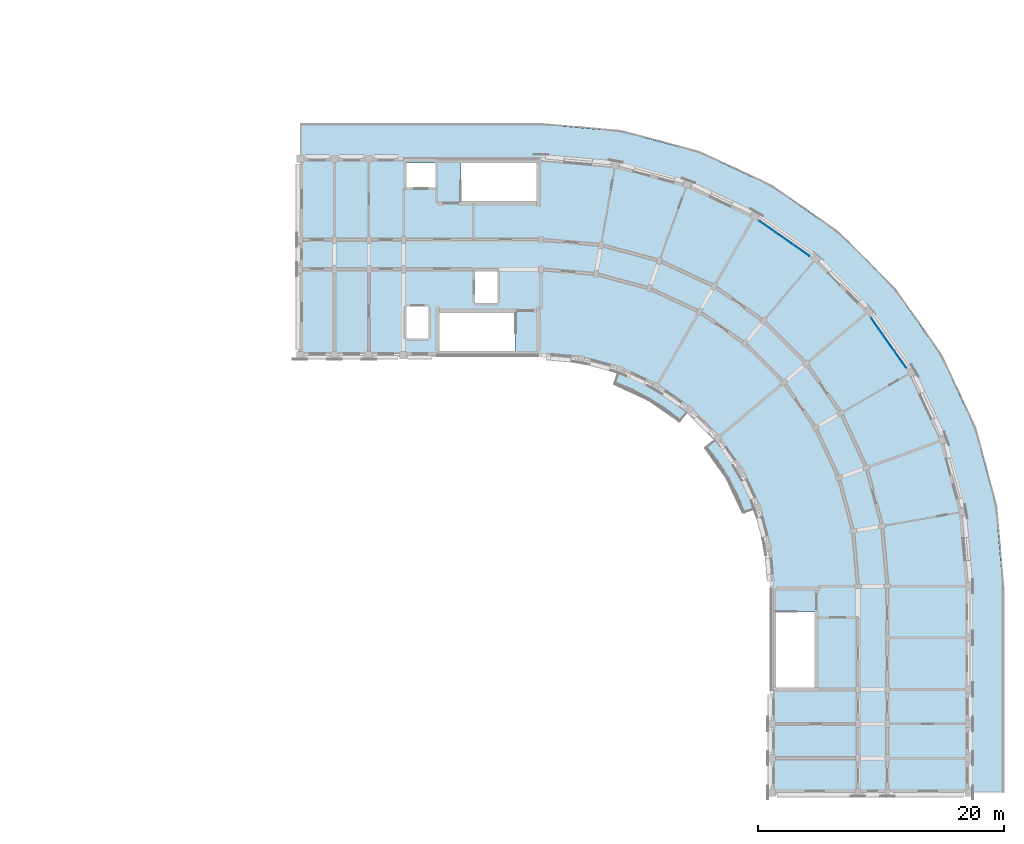
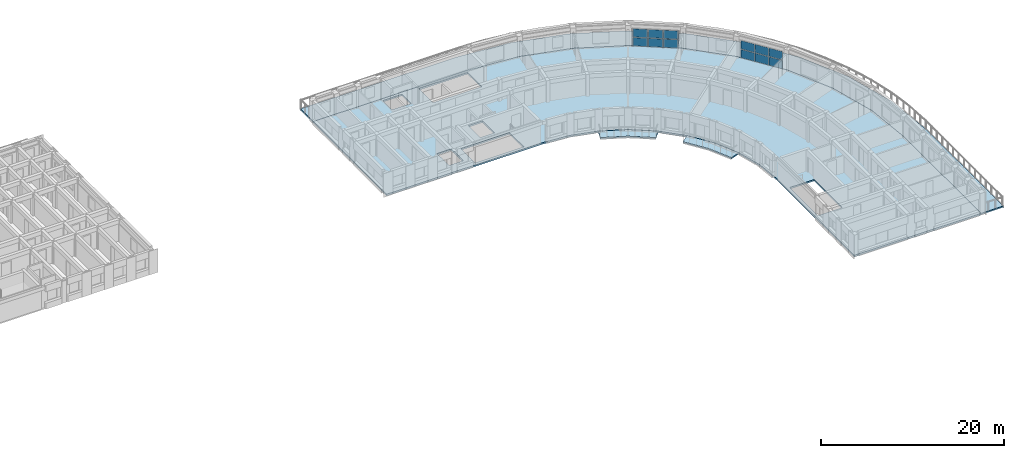
# One storey, part 10 of 32: 12 plates, 4 slabs, 2 elements without a shape of their own.
"""IFC4 building model written with IfcOpenShell, lengths in metres."""

from ifc_helpers import new_model, si_unit, direction, frame, origin, origin_2d, place, context, subcontext, project, spatial, polyline, rectangle, outline, extrude, material, layer, layer_set, type_object, element, aggregate, save


model = new_model("IFC4")

# Units and contexts
model_context = context("Model", 3, precision=1e-05, world=origin(), true_north=direction((0.0, 1.0)))
body_context = subcontext(model_context, "Body", "Model", "MODEL_VIEW")
ifc_project = project(units=[si_unit("LENGTHUNIT", "METRE"), si_unit("AREAUNIT", "SQUARE_METRE"), si_unit("VOLUMEUNIT", "CUBIC_METRE"), si_unit("PLANEANGLEUNIT", "RADIAN"), si_unit("MASSUNIT", "GRAM", prefix="KILO")], contexts=[model_context])

# Site, building, storey
site_placement = place(None, origin())
site = spatial("IfcSite", under=ifc_project, at=site_placement, CompositionType="ELEMENT")
building_placement = place(site_placement, origin())
building = spatial("IfcBuilding", under=site, at=building_placement, Name="Kiranvali Square Residences", CompositionType="ELEMENT")
storey_placement = place(building_placement, frame((0.0, 0.0, 40.199951171875)))
storey = spatial("IfcBuildingStorey", under=building, at=storey_placement, Name="L12", CompositionType="ELEMENT", Elevation=40.199951171875)

# Curtain wall, plates
ifc_material_1 = material(Name="Anodised bronze aluminium framing", Category="aluminium")
curtain_wall_type = type_object("IfcCurtainWallType", Name="CW-RES-LOG", PredefinedType="USERDEFINED", material=ifc_material_1)
curtain_wall_1_placement = place(storey_placement, origin())
curtain_wall_1 = element("IfcCurtainWall", 1, at=curtain_wall_1_placement, inside=storey, type_object=curtain_wall_type, Name="Block B L12 stepped curved terrace loggia 4", ObjectType="CURTAIN WALL", PredefinedType="USERDEFINED")
ifc_material_2 = material(Name="Solar-control low-e double glazing", Category="glass")
ifc_layer_1 = layer(ifc_material_2, 0.028076171875)
ifc_layer_set_1 = layer_set([ifc_layer_1], Name="Solar-control low-e double glazing")
plate_type = type_object("IfcPlateType", Name="PLT-CW-GLZ", PredefinedType="CURTAIN_PANEL", material=ifc_layer_set_1)
plate_1_placement = place(storey_placement, frame((138.23779296875, 117.064453125, 0.080078125), z_axis=(0.0, 0.0, 1.0), x_axis=(0.819152044289, -0.573576436351, 0.0)))
plate_1 = element("IfcPlate", 2, at=plate_1_placement, type_object=plate_type, Name="CW-B-L12-TER-03 glazed panel 1.1", PredefinedType="CURTAIN_PANEL", context=body_context, shape_type="SweptSolid", body=[
    extrude(rectangle(XDim=1.60205078125, YDim=0.028076171875, at=origin_2d()), origin(), (0.0, 0.0, 1.0), 1.110107421875),
])
plate_2_placement = place(storey_placement, frame((138.23779296875, 117.064453125, 1.27001953125), z_axis=(0.0, 0.0, 1.0), x_axis=(0.819152044289, -0.573576436351, 0.0)))
plate_2 = element("IfcPlate", 3, at=plate_2_placement, type_object=plate_type, Name="CW-B-L12-TER-03 glazed panel 1.2", PredefinedType="CURTAIN_PANEL", context=body_context, shape_type="SweptSolid", body=[
    extrude(rectangle(XDim=1.60205078125, YDim=0.028076171875, at=origin_2d()), origin(), (0.0, 0.0, 1.0), 1.110107421875),
])
plate_3_placement = place(storey_placement, frame((139.61572265625, 116.099609375, 0.080078125), z_axis=(0.0, 0.0, 1.0), x_axis=(0.819152044289, -0.573576436351, 0.0)))
plate_3 = element("IfcPlate", 4, at=plate_3_placement, type_object=plate_type, Name="CW-B-L12-TER-03 glazed panel 2.1", PredefinedType="CURTAIN_PANEL", context=body_context, shape_type="SweptSolid", body=[
    extrude(rectangle(XDim=1.60205078125, YDim=0.028076171875, at=origin_2d()), origin(), (0.0, 0.0, 1.0), 1.110107421875),
])
plate_4_placement = place(storey_placement, frame((139.61572265625, 116.099609375, 1.27001953125), z_axis=(0.0, 0.0, 1.0), x_axis=(0.819152044289, -0.573576436351, 0.0)))
plate_4 = element("IfcPlate", 5, at=plate_4_placement, type_object=plate_type, Name="CW-B-L12-TER-03 glazed panel 2.2", PredefinedType="CURTAIN_PANEL", context=body_context, shape_type="SweptSolid", body=[
    extrude(rectangle(XDim=1.60205078125, YDim=0.028076171875, at=origin_2d()), origin(), (0.0, 0.0, 1.0), 1.110107421875),
])
plate_5_placement = place(storey_placement, frame((140.993408203125, 115.135009765625, 0.080078125), z_axis=(0.0, 0.0, 1.0), x_axis=(0.819152044289, -0.573576436351, 0.0)))
plate_5 = element("IfcPlate", 6, at=plate_5_placement, type_object=plate_type, Name="CW-B-L12-TER-03 glazed panel 3.1", PredefinedType="CURTAIN_PANEL", context=body_context, shape_type="SweptSolid", body=[
    extrude(rectangle(XDim=1.60205078125, YDim=0.028076171875, at=origin_2d()), origin(), (0.0, 0.0, 1.0), 1.110107421875),
])
plate_6_placement = place(storey_placement, frame((140.993408203125, 115.135009765625, 1.27001953125), z_axis=(0.0, 0.0, 1.0), x_axis=(0.819152044289, -0.573576436351, 0.0)))
plate_6 = element("IfcPlate", 7, at=plate_6_placement, type_object=plate_type, Name="CW-B-L12-TER-03 glazed panel 3.2", PredefinedType="CURTAIN_PANEL", context=body_context, shape_type="SweptSolid", body=[
    extrude(rectangle(XDim=1.60205078125, YDim=0.028076171875, at=origin_2d()), origin(), (0.0, 0.0, 1.0), 1.110107421875),
])
aggregate(curtain_wall_1, [plate_1, plate_2, plate_3, plate_4, plate_5, plate_6])

curtain_wall_2_placement = place(storey_placement, origin())
curtain_wall_2 = element("IfcCurtainWall", 8, at=curtain_wall_2_placement, inside=storey, type_object=curtain_wall_type, Name="Block B L12 stepped curved terrace loggia 6", ObjectType="CURTAIN WALL", PredefinedType="USERDEFINED")
plate_7_placement = place(storey_placement, frame((147.135009765625, 108.993408203125, 0.080078125), z_axis=(0.0, 0.0, 1.0), x_axis=(0.573576436351, -0.819152044289, 0.0)))
plate_7 = element("IfcPlate", 9, at=plate_7_placement, type_object=plate_type, Name="CW-B-L12-TER-05 glazed panel 1.1", PredefinedType="CURTAIN_PANEL", context=body_context, shape_type="SweptSolid", body=[
    extrude(rectangle(XDim=1.60205078125, YDim=0.028076171875, at=origin_2d()), origin(), (0.0, 0.0, 1.0), 1.110107421875),
])
plate_8_placement = place(storey_placement, frame((147.135009765625, 108.993408203125, 1.27001953125), z_axis=(0.0, 0.0, 1.0), x_axis=(0.573576436351, -0.819152044289, 0.0)))
plate_8 = element("IfcPlate", 10, at=plate_8_placement, type_object=plate_type, Name="CW-B-L12-TER-05 glazed panel 1.2", PredefinedType="CURTAIN_PANEL", context=body_context, shape_type="SweptSolid", body=[
    extrude(rectangle(XDim=1.60205078125, YDim=0.028076171875, at=origin_2d()), origin(), (0.0, 0.0, 1.0), 1.110107421875),
])
plate_9_placement = place(storey_placement, frame((148.099609375, 107.61572265625, 0.080078125), z_axis=(0.0, 0.0, 1.0), x_axis=(0.573576436351, -0.819152044289, 0.0)))
plate_9 = element("IfcPlate", 11, at=plate_9_placement, type_object=plate_type, Name="CW-B-L12-TER-05 glazed panel 2.1", PredefinedType="CURTAIN_PANEL", context=body_context, shape_type="SweptSolid", body=[
    extrude(rectangle(XDim=1.60205078125, YDim=0.028076171875, at=origin_2d()), origin(), (0.0, 0.0, 1.0), 1.110107421875),
])
plate_10_placement = place(storey_placement, frame((148.099609375, 107.61572265625, 1.27001953125), z_axis=(0.0, 0.0, 1.0), x_axis=(0.573576436351, -0.819152044289, 0.0)))
plate_10 = element("IfcPlate", 12, at=plate_10_placement, type_object=plate_type, Name="CW-B-L12-TER-05 glazed panel 2.2", PredefinedType="CURTAIN_PANEL", context=body_context, shape_type="SweptSolid", body=[
    extrude(rectangle(XDim=1.60205078125, YDim=0.028076171875, at=origin_2d()), origin(), (0.0, 0.0, 1.0), 1.110107421875),
])
plate_11_placement = place(storey_placement, frame((149.064453125, 106.23779296875, 0.080078125), z_axis=(0.0, 0.0, 1.0), x_axis=(0.573576436351, -0.819152044289, 0.0)))
plate_11 = element("IfcPlate", 13, at=plate_11_placement, type_object=plate_type, Name="CW-B-L12-TER-05 glazed panel 3.1", PredefinedType="CURTAIN_PANEL", context=body_context, shape_type="SweptSolid", body=[
    extrude(rectangle(XDim=1.60205078125, YDim=0.028076171875, at=origin_2d()), origin(), (0.0, 0.0, 1.0), 1.110107421875),
])
plate_12_placement = place(storey_placement, frame((149.064453125, 106.23779296875, 1.27001953125), z_axis=(0.0, 0.0, 1.0), x_axis=(0.573576436351, -0.819152044289, 0.0)))
plate_12 = element("IfcPlate", 14, at=plate_12_placement, type_object=plate_type, Name="CW-B-L12-TER-05 glazed panel 3.2", PredefinedType="CURTAIN_PANEL", context=body_context, shape_type="SweptSolid", body=[
    extrude(rectangle(XDim=1.60205078125, YDim=0.028076171875, at=origin_2d()), origin(), (0.0, 0.0, 1.0), 1.110107421875),
])
aggregate(curtain_wall_2, [plate_7, plate_8, plate_9, plate_10, plate_11, plate_12])

# Slabs
ifc_material_3 = material(Name="Concrete M35 (35 MPa)", Category="concrete")
ifc_layer_2 = layer(ifc_material_3, 0.2099609375)
ifc_layer_set_2 = layer_set([ifc_layer_2], Name="Concrete M35 (35 MPa)")
slab_type_1 = type_object("IfcSlabType", Name="SLB-FLR-210", PredefinedType="FLOOR", material=ifc_layer_set_2)
slab_1_placement = place(storey_placement, frame((0.0, 0.0, -0.2099609375)))
element("IfcSlab", 15, at=slab_1_placement, inside=storey, type_object=slab_type_1, Name="Block B L12 structural floor slab", PredefinedType="FLOOR", context=body_context, shape_type="SweptSolid", body=[
    extrude(outline(polyline([(119.800048828125, 106.60009765625), (123.064697265625, 106.314453125), (126.22998046875, 105.46630859375), (129.199951171875, 104.081298828125), (131.884521484375, 102.20166015625), (134.20166015625, 99.884521484375), (136.081298828125, 97.199951171875), (137.46630859375, 94.22998046875), (138.314453125, 91.064697265625), (138.60009765625, 87.800048828125), (138.60009765625, 71.0), (154.60009765625, 71.0), (154.60009765625, 87.800048828125), (154.0712890625, 93.843017578125), (152.501220703125, 99.702392578125), (149.937744140625, 105.199951171875), (146.458251953125, 110.1689453125), (142.1689453125, 114.458251953125), (137.199951171875, 117.937744140625), (131.702392578125, 120.501220703125), (125.843017578125, 122.0712890625), (119.800048828125, 122.60009765625), (100.199951171875, 122.60009765625), (100.199951171875, 106.60009765625), (119.800048828125, 106.60009765625)]), holes=[polyline([(108.75, 120.25), (111.199951171875, 120.25), (111.199951171875, 122.25), (108.75, 122.25), (108.75, 120.25)]), polyline([(108.85009765625, 107.949951171875), (110.64990234375, 107.949951171875), (110.64990234375, 110.550048828125), (108.85009765625, 110.550048828125), (108.85009765625, 107.949951171875)]), polyline([(114.449951171875, 110.85009765625), (116.25, 110.85009765625), (116.25, 113.449951171875), (114.449951171875, 113.449951171875), (114.449951171875, 110.85009765625)]), polyline([(113.300048828125, 119.14990234375), (119.449951171875, 119.14990234375), (119.449951171875, 122.25), (113.300048828125, 122.25), (113.300048828125, 119.14990234375)]), polyline([(117.699951171875, 110.050048828125), (111.550048828125, 110.050048828125), (111.550048828125, 106.949951171875), (117.699951171875, 106.949951171875), (117.699951171875, 110.050048828125)]), polyline([(138.949951171875, 85.699951171875), (138.949951171875, 79.550048828125), (142.050048828125, 79.550048828125), (142.050048828125, 85.699951171875), (138.949951171875, 85.699951171875)])]), origin(), (0.0, 0.0, 1.0), 0.2099609375),
])
ifc_layer_3 = layer(ifc_material_3, 0.169921875)
ifc_layer_set_3 = layer_set([ifc_layer_3], Name="Concrete M35 (35 MPa)")
slab_type_2 = type_object("IfcSlabType", Name="SLB-GBAL-170", PredefinedType="FLOOR", material=ifc_layer_set_3)
slab_2_placement = place(storey_placement, frame((0.0, 0.0, -0.179931640625)))
element("IfcSlab", 16, at=slab_2_placement, inside=storey, type_object=slab_type_2, Name="Block B L12 garden balcony slab 1", PredefinedType="FLOOR", context=body_context, shape_type="SweptSolid", body=[
    extrude(outline(polyline([(125.802490234375, 104.29150390625), (128.574951171875, 102.998779296875), (131.080810546875, 101.244140625), (131.884521484375, 102.20166015625), (129.199951171875, 104.081298828125), (126.22998046875, 105.46630859375), (125.802490234375, 104.29150390625)])), origin(), (0.0, 0.0, 1.0), 0.179931640625),
])
slab_3_placement = place(storey_placement, frame((0.0, 0.0, -0.179931640625)))
element("IfcSlab", 17, at=slab_3_placement, inside=storey, type_object=slab_type_2, Name="Block B L12 garden balcony slab 2", PredefinedType="FLOOR", context=body_context, shape_type="SweptSolid", body=[
    extrude(outline(polyline([(133.244140625, 99.080810546875), (134.998779296875, 96.574951171875), (136.29150390625, 93.802490234375), (137.46630859375, 94.22998046875), (136.081298828125, 97.199951171875), (134.20166015625, 99.884521484375), (133.244140625, 99.080810546875)])), origin(), (0.0, 0.0, 1.0), 0.179931640625),
])
ifc_layer_4 = layer(ifc_material_3, 0.18994140625)
ifc_layer_set_4 = layer_set([ifc_layer_4], Name="Concrete M35 (35 MPa)")
slab_type_3 = type_object("IfcSlabType", Name="SLB-TER-190", PredefinedType="FLOOR", material=ifc_layer_set_4)
slab_4_placement = place(storey_placement, frame((0.0, 0.0, -0.179931640625)))
element("IfcSlab", 18, at=slab_4_placement, inside=storey, type_object=slab_type_3, Name="Block B L12 stepped curved corner balcony terrace slab", PredefinedType="FLOOR", context=body_context, shape_type="SweptSolid", body=[
    extrude(outline(polyline([(100.199951171875, 122.60009765625), (119.800048828125, 122.60009765625), (125.843017578125, 122.0712890625), (131.702392578125, 120.501220703125), (137.199951171875, 117.937744140625), (142.1689453125, 114.458251953125), (146.458251953125, 110.1689453125), (149.937744140625, 105.199951171875), (152.501220703125, 99.702392578125), (154.0712890625, 93.843017578125), (154.60009765625, 87.800048828125), (154.60009765625, 71.0), (157.39990234375, 71.0), (157.39990234375, 87.800048828125), (156.828857421875, 94.3291015625), (155.13232421875, 100.659912109375), (152.362548828125, 106.60009765625), (148.603271484375, 111.96875), (143.96875, 116.603271484375), (138.60009765625, 120.362548828125), (132.659912109375, 123.13232421875), (126.3291015625, 124.828857421875), (119.800048828125, 125.39990234375), (100.199951171875, 125.39990234375), (100.199951171875, 122.60009765625)])), origin(), (0.0, 0.0, 1.0), 0.179931640625),
])

save(model, "model.ifc")
